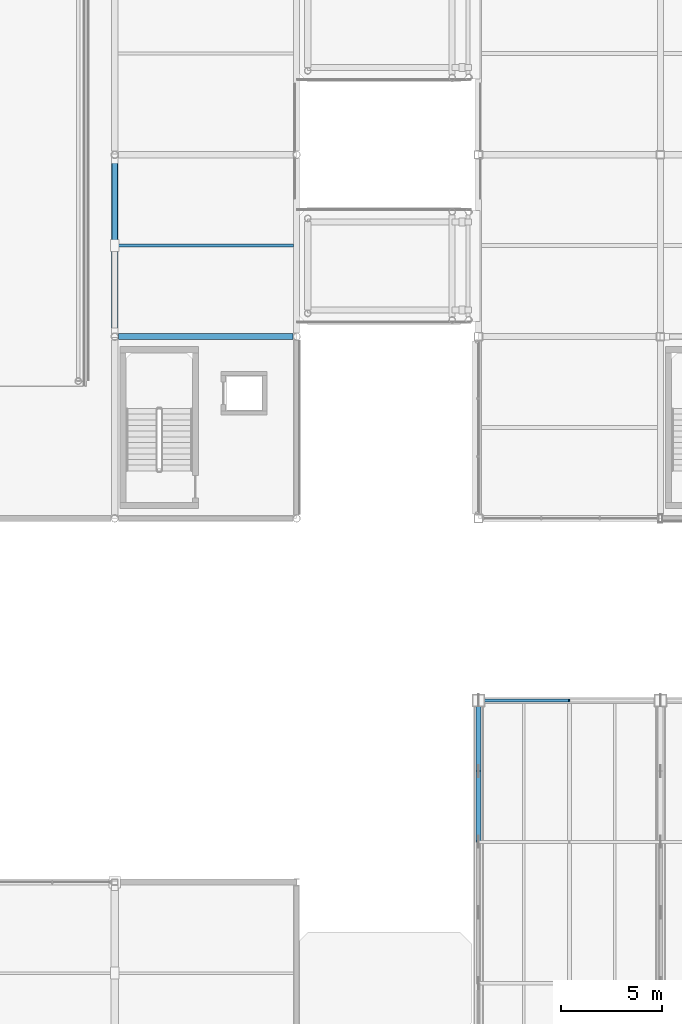
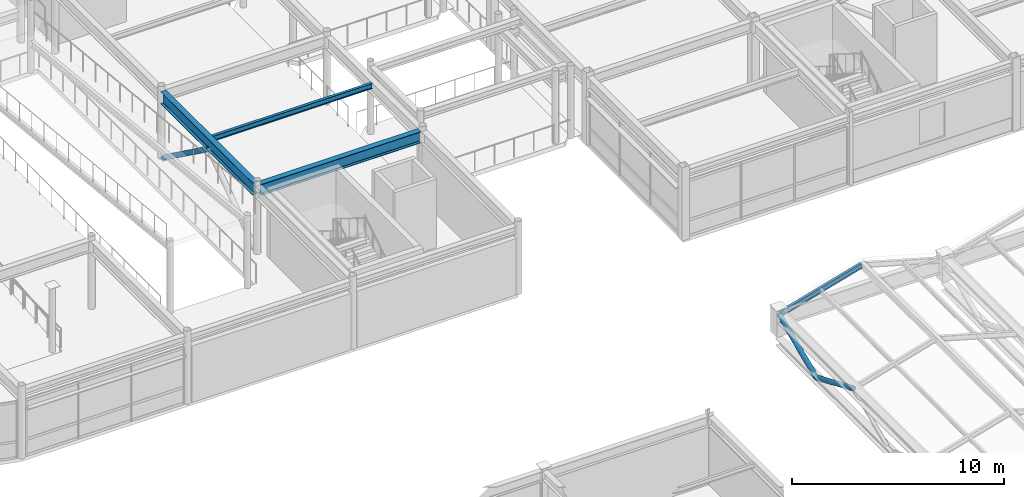
# One storey, part 35 of 108: 4 members, 3 beams.
"""IFC4 building model written with IfcOpenShell, lengths in metres."""

from ifc_helpers import new_model, si_unit, direction, frame, origin, origin_2d, place, context, subcontext, project, spatial, hollow_circle, i_section, extrude, material, material_profile, profile_set, type_object, element, save


model = new_model("IFC4")

# Units and contexts
model_context = context("Model", 3, precision=1e-05, world=origin(), true_north=direction((0.0, 1.0)))
body_context = subcontext(model_context, "Body", "Model", "MODEL_VIEW")
ifc_project = project(units=[si_unit("LENGTHUNIT", "METRE"), si_unit("AREAUNIT", "SQUARE_METRE"), si_unit("VOLUMEUNIT", "CUBIC_METRE"), si_unit("PLANEANGLEUNIT", "RADIAN"), si_unit("MASSUNIT", "GRAM", prefix="KILO")], contexts=[model_context])

# Site, building, storey
site_placement = place(None, origin())
site = spatial("IfcSite", under=ifc_project, at=site_placement, CompositionType="ELEMENT")
building_placement = place(site_placement, origin())
building = spatial("IfcBuilding", under=site, at=building_placement, Name="Suzunagisa Mobility Hub", CompositionType="ELEMENT")
storey_placement = place(building_placement, frame((0.0, 0.0, 9.300048828125)))
storey = spatial("IfcBuildingStorey", under=building, at=storey_placement, Name="L02", CompositionType="ELEMENT", Elevation=9.300048828125)

# Members
ifc_material_1 = material(Name="Steel SN490B", Category="steel")
ifc_material_profile_1 = material_profile(ifc_material_1, hollow_circle(Radius=0.1337890625, WallThickness=0.00927734375, at=origin_2d()), Name="CHS-267.4x9.3")
ifc_profile_set_1 = profile_set([ifc_material_profile_1], Name="Steel SN490B")
member_type_1 = type_object("IfcMemberType", Name="Roof Truss and Brace Member MB-02 CHS-267.4x9.3", PredefinedType="STRUT", material=ifc_profile_set_1)
for number, where, z_axis, x_axis, name in (
    (1, (45.0, 64.0, 1.0537109375), (0.0, 0.919145030018, -0.393919298579), (-1.0, 0.0, 0.0), "Secondary Sub-Truss Web 9"),
    (2, (45.0, 67.5, -0.4462890625), (0.0, 0.919145030018, 0.393919298579), (-1.0, 0.0, 0.0), "Secondary Sub-Truss Web 10"),
):
    element("IfcMember", number, at=place(storey_placement, frame(where, z_axis=z_axis, x_axis=x_axis)), inside=storey, type_object=member_type_1, Name=name, PredefinedType="STRUT", context=body_context, shape_type="SweptSolid", body=[
        extrude(hollow_circle(Radius=0.1337890625, WallThickness=0.00927734375, at=origin_2d()), origin(), (0.0, 0.0, 1.0), 3.807861328125),
    ])
ifc_material_profile_2 = material_profile(ifc_material_1, hollow_circle(Radius=0.1337890625, WallThickness=0.00927734375, at=origin_2d()), Name="CHS-267.4x9.3")
ifc_profile_set_2 = profile_set([ifc_material_profile_2], Name="Steel SN490B")
member_type_2 = type_object("IfcMemberType", Name="Roof Truss and Brace Member MB-06 CHS-267.4x9.3", PredefinedType="BRACE", material=ifc_profile_set_2)
member_1_placement = place(storey_placement, frame((27.0, 97.80224609375, 0.119873046875), z_axis=(0.0, -0.809893183997, 0.586577386639), x_axis=(1.0, 0.0, 0.0)))
element("IfcMember", 3, at=member_1_placement, inside=storey, type_object=member_type_2, Name="L02 Concentric Lateral Brace BR-24", PredefinedType="BRACE", context=body_context, shape_type="SweptSolid", body=[
    extrude(hollow_circle(Radius=0.1337890625, WallThickness=0.00927734375, at=origin_2d()), origin(), (0.0, 0.0, 1.0), 5.31201171875),
])
ifc_material_2 = material(Name="Steel SN400B", Category="steel")
ifc_material_profile_3 = material_profile(ifc_material_2, i_section(OverallWidth=0.14990234375, OverallDepth=0.300048828125, WebThickness=0.006591796875, FlangeThickness=0.009033203125, FilletRadius=0.008056640625, at=origin_2d()), Name="H-300x150x6.5x9")
ifc_profile_set_3 = profile_set([ifc_material_profile_3], Name="Steel SN400B")
member_type_3 = type_object("IfcMemberType", Name="Roof Truss and Brace Member MB-08 H-300x150x6.5x9", PredefinedType="RAFTER", material=ifc_profile_set_3)
member_2_placement = place(storey_placement, frame((45.0, 71.0, 1.0537109375), z_axis=(0.961899182139, 0.0, 0.273404395357), x_axis=(0.0, 1.0, 0.0)))
element("IfcMember", 4, at=member_2_placement, inside=storey, type_object=member_type_3, Name="Secondary Roof Sub-Rafter 102", PredefinedType="RAFTER", context=body_context, shape_type="SweptSolid", body=[
    extrude(i_section(OverallWidth=0.14990234375, OverallDepth=0.300048828125, WebThickness=0.006591796875, FlangeThickness=0.009033203125, FilletRadius=0.008056640625, at=origin_2d()), origin(), (0.0, 0.0, 1.0), 4.67822265625),
])

# Beams
ifc_material_profile_4 = material_profile(ifc_material_1, i_section(OverallWidth=0.300048828125, OverallDepth=0.64990234375, WebThickness=0.012939453125, FlangeThickness=0.02197265625, FilletRadius=0.01611328125, at=origin_2d()), Name="H-650x300x13x22")
ifc_profile_set_4 = profile_set([ifc_material_profile_4], Name="Steel SN490B")
beam_type_1 = type_object("IfcBeamType", Name="Steel Beam BM-10 H-650x300x13x22", PredefinedType="BEAM", material=ifc_profile_set_4)
beam_1_placement = place(storey_placement, frame((27.173828125, 89.0, 3.625), z_axis=(1.0, 0.0, 0.0), x_axis=(0.0, 1.0, 0.0)))
element("IfcBeam", 5, at=beam_1_placement, inside=storey, type_object=beam_type_1, Name="L02 Primary Girder GX-525", PredefinedType="BEAM", context=body_context, shape_type="SweptSolid", body=[
    extrude(i_section(OverallWidth=0.300048828125, OverallDepth=0.64990234375, WebThickness=0.012939453125, FlangeThickness=0.02197265625, FilletRadius=0.01611328125, at=origin_2d()), origin(), (0.0, 0.0, 1.0), 8.65234375),
])
ifc_material_profile_5 = material_profile(ifc_material_1, i_section(OverallWidth=0.300048828125, OverallDepth=0.699951171875, WebThickness=0.012939453125, FlangeThickness=0.02392578125, FilletRadius=0.01806640625, at=origin_2d()), Name="H-700x300x13x24")
ifc_profile_set_5 = profile_set([ifc_material_profile_5], Name="Steel SN490B")
beam_type_2 = type_object("IfcBeamType", Name="Steel Beam BM-11 H-700x300x13x24", PredefinedType="BEAM", material=ifc_profile_set_5)
beam_2_placement = place(storey_placement, frame((27.0, 89.173828125, 3.599853515625), z_axis=(0.0, 1.0, 0.0), x_axis=(-1.0, 0.0, 0.0)))
element("IfcBeam", 6, at=beam_2_placement, inside=storey, type_object=beam_type_2, Name="L02 Primary Girder GY-541", PredefinedType="BEAM", context=body_context, shape_type="SweptSolid", body=[
    extrude(i_section(OverallWidth=0.300048828125, OverallDepth=0.699951171875, WebThickness=0.012939453125, FlangeThickness=0.02392578125, FilletRadius=0.01806640625, at=origin_2d()), origin(), (0.0, 0.0, 1.0), 8.65234375),
])
ifc_material_profile_6 = material_profile(ifc_material_2, i_section(OverallWidth=0.14990234375, OverallDepth=0.300048828125, WebThickness=0.006591796875, FlangeThickness=0.009033203125, FilletRadius=0.008056640625, at=origin_2d()), Name="H-300x150x6.5x9")
ifc_profile_set_6 = profile_set([ifc_material_profile_6], Name="Steel SN400B")
beam_type_3 = type_object("IfcBeamType", Name="Steel Beam BM-24 H-300x150x6.5x9", PredefinedType="JOIST", material=ifc_profile_set_6)
beam_3_placement = place(storey_placement, frame((27.14990234375, 93.5, 3.7900390625), z_axis=(1.0, 0.0, 0.0), x_axis=(0.0, 1.0, 0.0)))
element("IfcBeam", 7, at=beam_3_placement, inside=storey, type_object=beam_type_3, Name="L02 Composite Floor Joist J-552", PredefinedType="JOIST", context=body_context, shape_type="SweptSolid", body=[
    extrude(i_section(OverallWidth=0.14990234375, OverallDepth=0.300048828125, WebThickness=0.006591796875, FlangeThickness=0.009033203125, FilletRadius=0.008056640625, at=origin_2d()), origin(), (0.0, 0.0, 1.0), 8.7001953125),
])

save(model, "model.ifc")
